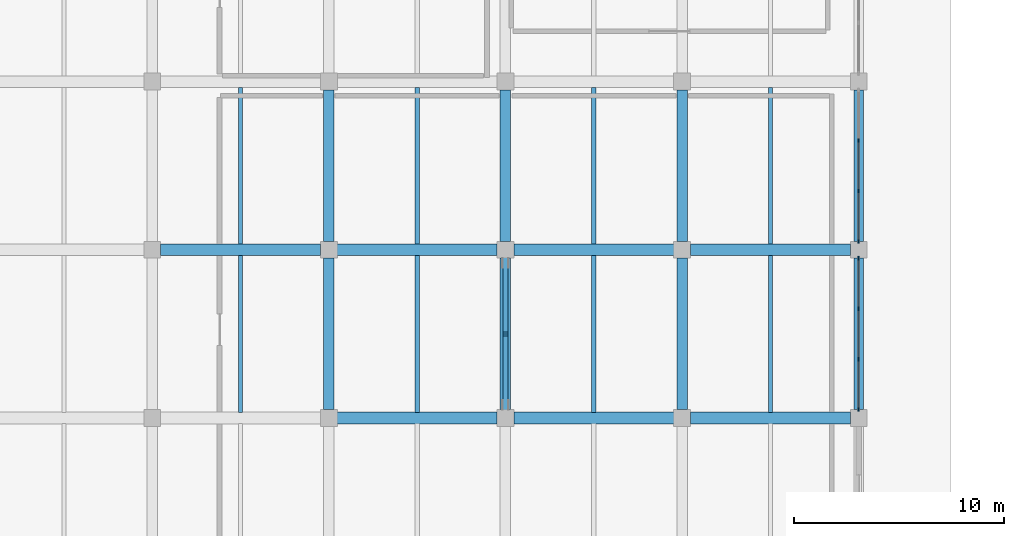
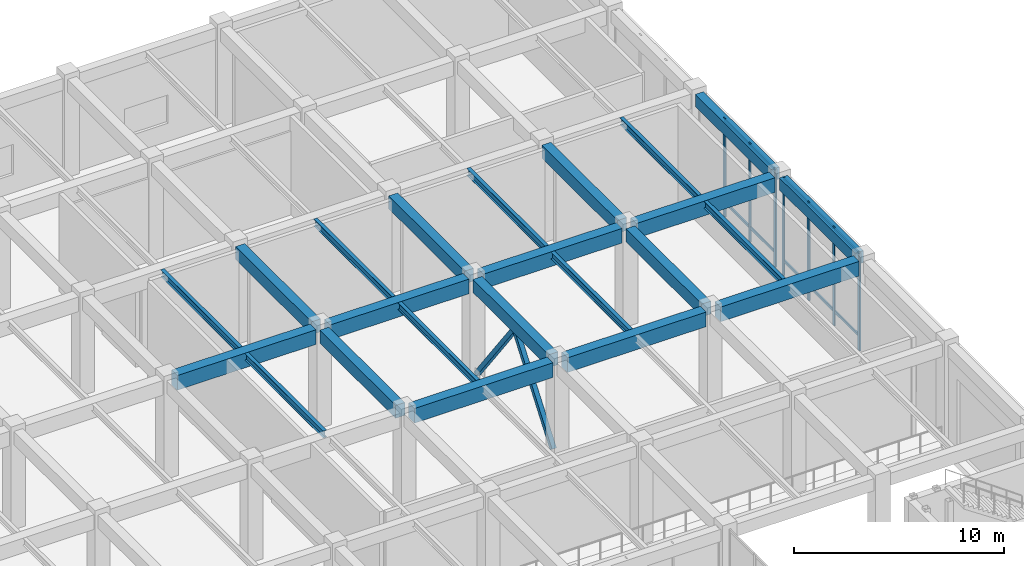
# One storey, part 35 of 76: 23 beams, 19 members, 2 elements without a shape of their own.
"""IFC4 building model written with IfcOpenShell, lengths in metres."""

from ifc_helpers import new_model, si_unit, direction, frame, origin, origin_2d, place, context, subcontext, project, spatial, rectangle, hollow_rectangle, i_section, extrude, material, layer, layer_set, material_profile, profile_set, type_object, element, aggregate, save


model = new_model("IFC4")

# Units and contexts
model_context = context("Model", 3, precision=1e-05, world=origin(), true_north=direction((0.0, 1.0)))
body_context = subcontext(model_context, "Body", "Model", "MODEL_VIEW")
ifc_project = project(units=[si_unit("LENGTHUNIT", "METRE"), si_unit("AREAUNIT", "SQUARE_METRE"), si_unit("VOLUMEUNIT", "CUBIC_METRE"), si_unit("PLANEANGLEUNIT", "RADIAN"), si_unit("MASSUNIT", "GRAM", prefix="KILO")], contexts=[model_context])

# Site, building, storey
site_placement = place(None, origin())
site = spatial("IfcSite", under=ifc_project, at=site_placement, CompositionType="ELEMENT")
building_placement = place(site_placement, origin())
building = spatial("IfcBuilding", under=site, at=building_placement, Name="Naruveol Harbour Congress Hotel", CompositionType="ELEMENT")
storey_placement = place(building_placement, origin())
storey = spatial("IfcBuildingStorey", under=building, at=storey_placement, Name="L00", CompositionType="ELEMENT", Elevation=0.0)

# Beams
ifc_material_1 = material(Name="Concrete C40/50", Category="concrete")
ifc_material_profile_1 = material_profile(ifc_material_1, rectangle(XDim=0.5, YDim=0.75, at=origin_2d()), Name="RCB-500x750")
ifc_profile_set_1 = profile_set([ifc_material_profile_1], Name="Concrete C40/50")
beam_type_1 = type_object("IfcBeamType", Name="RC FLOOR GIRDER 500X750", PredefinedType="BEAM", material=ifc_profile_set_1)
for number, where, z_axis, x_axis, name in (
    (1, (100.800048828125, 80.39599609375, 5.324951171875), (0.0, 1.0, 0.0), (-1.0, 0.0, 0.0), "Transverse girder L01 CB3"),
    (2, (100.800048828125, 88.39599609375, 5.324951171875), (0.0, 1.0, 0.0), (-1.0, 0.0, 0.0), "Transverse girder L01 CB3"),
    (3, (109.199951171875, 80.39599609375, 5.324951171875), (0.0, 1.0, 0.0), (-1.0, 0.0, 0.0), "Transverse girder L01 CB3"),
    (4, (109.199951171875, 88.39599609375, 5.324951171875), (0.0, 1.0, 0.0), (-1.0, 0.0, 0.0), "Transverse girder L01 CB3"),
    (5, (117.60009765625, 80.39599609375, 5.324951171875), (0.0, 1.0, 0.0), (-1.0, 0.0, 0.0), "Transverse girder L01 CB3"),
    (6, (117.60009765625, 88.39599609375, 5.324951171875), (0.0, 1.0, 0.0), (-1.0, 0.0, 0.0), "Transverse girder L01 CB3"),
):
    element("IfcBeam", number, at=place(storey_placement, frame(where, z_axis=z_axis, x_axis=x_axis)), inside=storey, type_object=beam_type_1, Name=name, PredefinedType="BEAM", context=body_context, shape_type="SweptSolid", body=[
        extrude(rectangle(XDim=0.5, YDim=0.75, at=origin_2d()), origin(), (0.0, 0.0, 1.0), 7.2080078125),
    ])
ifc_material_2 = material(Name="Concrete C40/50", Category="concrete")
ifc_material_profile_2 = material_profile(ifc_material_2, rectangle(XDim=0.550048828125, YDim=0.85009765625, at=origin_2d()), Name="RCB-550x850")
ifc_profile_set_2 = profile_set([ifc_material_profile_2], Name="Concrete C40/50")
beam_type_2 = type_object("IfcBeamType", Name="RC PRIMARY GIRDER 550X850", PredefinedType="BEAM", material=ifc_profile_set_2)
beam_1_placement = place(storey_placement, frame((101.196044921875, 80.0, 5.27490234375), z_axis=(1.0, 0.0, 0.0), x_axis=(0.0, 1.0, 0.0)))
element("IfcBeam", 7, at=beam_1_placement, inside=storey, type_object=beam_type_2, Name="Floor girder L01 CB2", PredefinedType="BEAM", context=body_context, shape_type="SweptSolid", body=[
    extrude(rectangle(XDim=0.550048828125, YDim=0.85009765625, at=origin_2d()), origin(), (0.0, 0.0, 1.0), 7.60791015625),
])
beam_2_placement = place(storey_placement, frame((109.595947265625, 80.0, 5.27490234375), z_axis=(1.0, 0.0, 0.0), x_axis=(0.0, 1.0, 0.0)))
element("IfcBeam", 8, at=beam_2_placement, inside=storey, type_object=beam_type_2, Name="Floor girder L01 CB2", PredefinedType="BEAM", context=body_context, shape_type="SweptSolid", body=[
    extrude(rectangle(XDim=0.550048828125, YDim=0.85009765625, at=origin_2d()), origin(), (0.0, 0.0, 1.0), 7.608154296875),
])
beam_3_placement = place(storey_placement, frame((117.99609375, 80.0, 5.27490234375), z_axis=(1.0, 0.0, 0.0), x_axis=(0.0, 1.0, 0.0)))
element("IfcBeam", 9, at=beam_3_placement, inside=storey, type_object=beam_type_2, Name="Floor girder L01 CB2", PredefinedType="BEAM", context=body_context, shape_type="SweptSolid", body=[
    extrude(rectangle(XDim=0.550048828125, YDim=0.85009765625, at=origin_2d()), origin(), (0.0, 0.0, 1.0), 7.60791015625),
])
beam_4_placement = place(storey_placement, frame((92.7958984375, 88.0, 5.27490234375), z_axis=(1.0, 0.0, 0.0), x_axis=(0.0, 1.0, 0.0)))
element("IfcBeam", 10, at=beam_4_placement, inside=storey, type_object=beam_type_2, Name="Floor girder L01 CB2", PredefinedType="BEAM", context=body_context, shape_type="SweptSolid", body=[
    extrude(rectangle(XDim=0.550048828125, YDim=0.85009765625, at=origin_2d()), origin(), (0.0, 0.0, 1.0), 7.608154296875),
])
beam_5_placement = place(storey_placement, frame((101.196044921875, 88.0, 5.27490234375), z_axis=(1.0, 0.0, 0.0), x_axis=(0.0, 1.0, 0.0)))
element("IfcBeam", 11, at=beam_5_placement, inside=storey, type_object=beam_type_2, Name="Floor girder L01 CB2", PredefinedType="BEAM", context=body_context, shape_type="SweptSolid", body=[
    extrude(rectangle(XDim=0.550048828125, YDim=0.85009765625, at=origin_2d()), origin(), (0.0, 0.0, 1.0), 7.60791015625),
])
beam_6_placement = place(storey_placement, frame((109.595947265625, 88.0, 5.27490234375), z_axis=(1.0, 0.0, 0.0), x_axis=(0.0, 1.0, 0.0)))
element("IfcBeam", 12, at=beam_6_placement, inside=storey, type_object=beam_type_2, Name="Floor girder L01 CB2", PredefinedType="BEAM", context=body_context, shape_type="SweptSolid", body=[
    extrude(rectangle(XDim=0.550048828125, YDim=0.85009765625, at=origin_2d()), origin(), (0.0, 0.0, 1.0), 7.608154296875),
])
beam_7_placement = place(storey_placement, frame((117.99609375, 88.0, 5.27490234375), z_axis=(1.0, 0.0, 0.0), x_axis=(0.0, 1.0, 0.0)))
element("IfcBeam", 13, at=beam_7_placement, inside=storey, type_object=beam_type_2, Name="Floor girder L01 CB2", PredefinedType="BEAM", context=body_context, shape_type="SweptSolid", body=[
    extrude(rectangle(XDim=0.550048828125, YDim=0.85009765625, at=origin_2d()), origin(), (0.0, 0.0, 1.0), 7.60791015625),
])
ifc_material_3 = material(Name="Concrete C40/50", Category="concrete")
ifc_material_profile_3 = material_profile(ifc_material_3, rectangle(XDim=0.449951171875, YDim=0.699951171875, at=origin_2d()), Name="RCB-450x700")
ifc_profile_set_3 = profile_set([ifc_material_profile_3], Name="Concrete C40/50")
beam_type_3 = type_object("IfcBeamType", Name="RC SPANDREL BEAM 450X700", PredefinedType="SPANDREL", material=ifc_profile_set_3)
for number, where, z_axis, x_axis, name in (
    (14, (126.0, 80.39599609375, 5.35009765625), (0.0, 1.0, 0.0), (-1.0, 0.0, 0.0), "Transverse girder L01 SPB1"),
    (15, (126.0, 88.39599609375, 5.35009765625), (0.0, 1.0, 0.0), (-1.0, 0.0, 0.0), "Transverse girder L01 SPB1"),
):
    element("IfcBeam", number, at=place(storey_placement, frame(where, z_axis=z_axis, x_axis=x_axis)), inside=storey, type_object=beam_type_3, Name=name, PredefinedType="SPANDREL", context=body_context, shape_type="SweptSolid", body=[
        extrude(rectangle(XDim=0.449951171875, YDim=0.699951171875, at=origin_2d()), origin(), (0.0, 0.0, 1.0), 7.2080078125),
    ])

# Members
ifc_material_4 = material(Name="Steel SN490", Category="steel")
ifc_material_profile_4 = material_profile(ifc_material_4, hollow_rectangle(XDim=0.25, YDim=0.25, WallThickness=0.011962890625, at=origin_2d()), Name="SHS-250x250x12")
ifc_profile_set_4 = profile_set([ifc_material_profile_4], Name="Steel SN490")
member_type_1 = type_object("IfcMemberType", Name="STEEL LATERAL FRAME BRACE SHS250", PredefinedType="BRACE", material=ifc_profile_set_4)
for number, where, z_axis, x_axis, name in (
    (16, (109.199951171875, 80.389892578125, 0.159912109375), (0.0, 0.601873941138, 0.798591108753), (-1.0, 0.0, 0.0), "Lateral chevron brace L00 #9A"),
    (17, (109.199951171875, 87.610107421875, 0.159912109375), (0.0, -0.601873941138, 0.798591108753), (1.0, 0.0, 0.0), "Lateral chevron brace L00 #9B"),
):
    element("IfcMember", number, at=place(storey_placement, frame(where, z_axis=z_axis, x_axis=x_axis)), inside=storey, type_object=member_type_1, Name=name, PredefinedType="BRACE", context=body_context, shape_type="SweptSolid", body=[
        extrude(hollow_rectangle(XDim=0.25, YDim=0.25, WallThickness=0.011962890625, at=origin_2d()), origin(), (0.0, 0.0, 1.0), 5.998046875),
    ])

# Beams
ifc_material_5 = material(Name="Steel SN490", Category="steel")
ifc_material_profile_5 = material_profile(ifc_material_5, i_section(OverallWidth=0.199951171875, OverallDepth=0.39990234375, WebThickness=0.008056640625, FlangeThickness=0.012939453125, at=origin_2d()), Name="H-400x200x8x13")
ifc_profile_set_5 = profile_set([ifc_material_profile_5], Name="Steel SN490")
beam_type_4 = type_object("IfcBeamType", Name="STEEL SECONDARY JOIST H400", PredefinedType="JOIST", material=ifc_profile_set_5)
for number, where, z_axis, x_axis, name in (
    (18, (96.60009765625, 80.27099609375, 5.5), (0.0, 1.0, 0.0), (-1.0, 0.0, 0.0), "Secondary floor joist L01 SJ1"),
    (19, (105.0, 80.27099609375, 5.5), (0.0, 1.0, 0.0), (-1.0, 0.0, 0.0), "Secondary floor joist L01 SJ1"),
    (20, (113.39990234375, 80.27099609375, 5.5), (0.0, 1.0, 0.0), (-1.0, 0.0, 0.0), "Secondary floor joist L01 SJ1"),
    (21, (121.800048828125, 80.27099609375, 5.5), (0.0, 1.0, 0.0), (-1.0, 0.0, 0.0), "Secondary floor joist L01 SJ1"),
    (22, (96.60009765625, 88.27099609375, 5.5), (0.0, 1.0, 0.0), (-1.0, 0.0, 0.0), "Secondary floor joist L01 SJ1"),
    (23, (105.0, 88.27099609375, 5.5), (0.0, 1.0, 0.0), (-1.0, 0.0, 0.0), "Secondary floor joist L01 SJ1"),
    (24, (113.39990234375, 88.27099609375, 5.5), (0.0, 1.0, 0.0), (-1.0, 0.0, 0.0), "Secondary floor joist L01 SJ1"),
    (25, (121.800048828125, 88.27099609375, 5.5), (0.0, 1.0, 0.0), (-1.0, 0.0, 0.0), "Secondary floor joist L01 SJ1"),
):
    element("IfcBeam", number, at=place(storey_placement, frame(where, z_axis=z_axis, x_axis=x_axis)), inside=storey, type_object=beam_type_4, Name=name, PredefinedType="JOIST", context=body_context, shape_type="SweptSolid", body=[
        extrude(i_section(OverallWidth=0.199951171875, OverallDepth=0.39990234375, WebThickness=0.008056640625, FlangeThickness=0.012939453125, at=origin_2d()), origin(), (0.0, 0.0, 1.0), 7.4580078125),
    ])

# Curtain wall, members
ifc_material_6 = material(Name="Low-E Curtain Wall System", Category="glass")
ifc_layer = layer(ifc_material_6, 0.179931640625)
ifc_layer_set = layer_set([ifc_layer], Name="Low-E Curtain Wall System")
curtain_wall_type = type_object("IfcCurtainWallType", Name="UNITISED CURTAIN WALL CW-V2E-16 7200X5700", PredefinedType="USERDEFINED", material=ifc_layer_set)
curtain_wall_1_placement = place(storey_placement, origin())
curtain_wall_1 = element("IfcCurtainWall", 26, at=curtain_wall_1_placement, inside=storey, type_object=curtain_wall_type, Name="Unitised curtain wall CW-V2E-16 L00", ObjectType="UNITISED GLAZING", PredefinedType="USERDEFINED")
ifc_material_7 = material(Name="Anodised Aluminium 6063-T6", Category="aluminium")
ifc_material_profile_6 = material_profile(ifc_material_7, rectangle(XDim=0.074951171875, YDim=0.179931640625, at=origin_2d()), Name="ALU-75x180")
ifc_profile_set_6 = profile_set([ifc_material_profile_6], Name="Anodised Aluminium 6063-T6")
member_type_2 = type_object("IfcMemberType", Name="THERMAL ALUMINIUM MULLION 75X180", PredefinedType="MULLION", material=ifc_profile_set_6)
member_1_placement = place(storey_placement, frame((126.0, 87.60009765625, 0.0), z_axis=(0.0, 0.0, 1.0), x_axis=(1.0, 0.0, 0.0)))
member_1 = element("IfcMember", 27, at=member_1_placement, type_object=member_type_2, Name="Curtain wall mullion CW-L00-0033-M0", PredefinedType="MULLION", context=body_context, shape_type="SweptSolid", body=[
    extrude(rectangle(XDim=0.074951171875, YDim=0.179931640625, at=origin_2d()), origin(), (0.0, 0.0, 1.0), 5.699951171875),
])
member_2_placement = place(storey_placement, frame((126.0, 85.199951171875, 0.0), z_axis=(0.0, 0.0, 1.0), x_axis=(1.0, 0.0, 0.0)))
member_2 = element("IfcMember", 28, at=member_2_placement, type_object=member_type_2, Name="Curtain wall mullion CW-L00-0033-M1", PredefinedType="MULLION", context=body_context, shape_type="SweptSolid", body=[
    extrude(rectangle(XDim=0.074951171875, YDim=0.179931640625, at=origin_2d()), origin(), (0.0, 0.0, 1.0), 5.699951171875),
])
member_3_placement = place(storey_placement, frame((126.0, 82.800048828125, 0.0), z_axis=(0.0, 0.0, 1.0), x_axis=(1.0, 0.0, 0.0)))
member_3 = element("IfcMember", 29, at=member_3_placement, type_object=member_type_2, Name="Curtain wall mullion CW-L00-0033-M2", PredefinedType="MULLION", context=body_context, shape_type="SweptSolid", body=[
    extrude(rectangle(XDim=0.074951171875, YDim=0.179931640625, at=origin_2d()), origin(), (0.0, 0.0, 1.0), 5.699951171875),
])
member_4_placement = place(storey_placement, frame((126.0, 80.39990234375, 0.0), z_axis=(0.0, 0.0, 1.0), x_axis=(1.0, 0.0, 0.0)))
member_4 = element("IfcMember", 30, at=member_4_placement, type_object=member_type_2, Name="Curtain wall mullion CW-L00-0033-M3", PredefinedType="MULLION", context=body_context, shape_type="SweptSolid", body=[
    extrude(rectangle(XDim=0.074951171875, YDim=0.179931640625, at=origin_2d()), origin(), (0.0, 0.0, 1.0), 5.699951171875),
])

curtain_wall_2_placement = place(storey_placement, origin())
curtain_wall_2 = element("IfcCurtainWall", 31, at=curtain_wall_2_placement, inside=storey, type_object=curtain_wall_type, Name="Unitised curtain wall CW-V2E-16 L00", ObjectType="UNITISED GLAZING", PredefinedType="USERDEFINED")
member_5_placement = place(storey_placement, frame((126.0, 93.199951171875, 0.0), z_axis=(0.0, 0.0, 1.0), x_axis=(1.0, 0.0, 0.0)))
member_5 = element("IfcMember", 32, at=member_5_placement, type_object=member_type_2, Name="Curtain wall mullion CW-L00-0034-M1", PredefinedType="MULLION", context=body_context, shape_type="SweptSolid", body=[
    extrude(rectangle(XDim=0.074951171875, YDim=0.179931640625, at=origin_2d()), origin(), (0.0, 0.0, 1.0), 5.699951171875),
])
member_6_placement = place(storey_placement, frame((126.0, 90.800048828125, 0.0), z_axis=(0.0, 0.0, 1.0), x_axis=(1.0, 0.0, 0.0)))
member_6 = element("IfcMember", 33, at=member_6_placement, type_object=member_type_2, Name="Curtain wall mullion CW-L00-0034-M2", PredefinedType="MULLION", context=body_context, shape_type="SweptSolid", body=[
    extrude(rectangle(XDim=0.074951171875, YDim=0.179931640625, at=origin_2d()), origin(), (0.0, 0.0, 1.0), 5.699951171875),
])
member_7_placement = place(storey_placement, frame((126.0, 88.39990234375, 0.0), z_axis=(0.0, 0.0, 1.0), x_axis=(1.0, 0.0, 0.0)))
member_7 = element("IfcMember", 34, at=member_7_placement, type_object=member_type_2, Name="Curtain wall mullion CW-L00-0034-M3", PredefinedType="MULLION", context=body_context, shape_type="SweptSolid", body=[
    extrude(rectangle(XDim=0.074951171875, YDim=0.179931640625, at=origin_2d()), origin(), (0.0, 0.0, 1.0), 5.699951171875),
])

# Member
ifc_material_8 = material(Name="Anodised Aluminium 6063-T6", Category="aluminium")
ifc_material_profile_7 = material_profile(ifc_material_8, rectangle(XDim=0.074951171875, YDim=0.14990234375, at=origin_2d()), Name="ALU-75x150")
ifc_profile_set_7 = profile_set([ifc_material_profile_7], Name="Anodised Aluminium 6063-T6")
member_type_3 = type_object("IfcMemberType", Name="THERMAL ALUMINIUM TRANSOM 75X150", PredefinedType="USERDEFINED", material=ifc_profile_set_7)
member_8_placement = place(storey_placement, frame((126.0, 87.56005859375, 0.85009765625), z_axis=(0.0, -1.0, 0.0), x_axis=(1.0, 0.0, 0.0)))
member_8 = element("IfcMember", 35, at=member_8_placement, type_object=member_type_3, Name="Curtain wall transom CW-L00-0033-T0.1", ObjectType="TRANSOM", PredefinedType="USERDEFINED", context=body_context, shape_type="SweptSolid", body=[
    extrude(rectangle(XDim=0.074951171875, YDim=0.14990234375, at=origin_2d()), origin(), (0.0, 0.0, 1.0), 2.320068359375),
])

member_9_placement = place(storey_placement, frame((126.0, 87.56005859375, 5.6201171875), z_axis=(0.0, -1.0, 0.0), x_axis=(1.0, 0.0, 0.0)))
member_9 = element("IfcMember", 36, at=member_9_placement, type_object=member_type_3, Name="Curtain wall transom CW-L00-0033-T0.2", ObjectType="TRANSOM", PredefinedType="USERDEFINED", context=body_context, shape_type="SweptSolid", body=[
    extrude(rectangle(XDim=0.074951171875, YDim=0.14990234375, at=origin_2d()), origin(), (0.0, 0.0, 1.0), 2.320068359375),
])

member_10_placement = place(storey_placement, frame((126.0, 85.159912109375, 0.85009765625), z_axis=(0.0, -1.0, 0.0), x_axis=(1.0, 0.0, 0.0)))
member_10 = element("IfcMember", 37, at=member_10_placement, type_object=member_type_3, Name="Curtain wall transom CW-L00-0033-T1.1", ObjectType="TRANSOM", PredefinedType="USERDEFINED", context=body_context, shape_type="SweptSolid", body=[
    extrude(rectangle(XDim=0.074951171875, YDim=0.14990234375, at=origin_2d()), origin(), (0.0, 0.0, 1.0), 2.31982421875),
])

member_11_placement = place(storey_placement, frame((126.0, 85.159912109375, 5.6201171875), z_axis=(0.0, -1.0, 0.0), x_axis=(1.0, 0.0, 0.0)))
member_11 = element("IfcMember", 38, at=member_11_placement, type_object=member_type_3, Name="Curtain wall transom CW-L00-0033-T1.2", ObjectType="TRANSOM", PredefinedType="USERDEFINED", context=body_context, shape_type="SweptSolid", body=[
    extrude(rectangle(XDim=0.074951171875, YDim=0.14990234375, at=origin_2d()), origin(), (0.0, 0.0, 1.0), 2.31982421875),
])

member_12_placement = place(storey_placement, frame((126.0, 82.760009765625, 0.85009765625), z_axis=(0.0, -1.0, 0.0), x_axis=(1.0, 0.0, 0.0)))
member_12 = element("IfcMember", 39, at=member_12_placement, type_object=member_type_3, Name="Curtain wall transom CW-L00-0033-T2.1", ObjectType="TRANSOM", PredefinedType="USERDEFINED", context=body_context, shape_type="SweptSolid", body=[
    extrude(rectangle(XDim=0.074951171875, YDim=0.14990234375, at=origin_2d()), origin(), (0.0, 0.0, 1.0), 2.320068359375),
])

member_13_placement = place(storey_placement, frame((126.0, 82.760009765625, 5.6201171875), z_axis=(0.0, -1.0, 0.0), x_axis=(1.0, 0.0, 0.0)))
member_13 = element("IfcMember", 40, at=member_13_placement, type_object=member_type_3, Name="Curtain wall transom CW-L00-0033-T2.2", ObjectType="TRANSOM", PredefinedType="USERDEFINED", context=body_context, shape_type="SweptSolid", body=[
    extrude(rectangle(XDim=0.074951171875, YDim=0.14990234375, at=origin_2d()), origin(), (0.0, 0.0, 1.0), 2.320068359375),
])

aggregate(curtain_wall_1, [member_1, member_2, member_3, member_4, member_8, member_9, member_10, member_11, member_12, member_13])

member_14_placement = place(storey_placement, frame((126.0, 93.159912109375, 0.85009765625), z_axis=(0.0, -1.0, 0.0), x_axis=(1.0, 0.0, 0.0)))
member_14 = element("IfcMember", 41, at=member_14_placement, type_object=member_type_3, Name="Curtain wall transom CW-L00-0034-T1.1", ObjectType="TRANSOM", PredefinedType="USERDEFINED", context=body_context, shape_type="SweptSolid", body=[
    extrude(rectangle(XDim=0.074951171875, YDim=0.14990234375, at=origin_2d()), origin(), (0.0, 0.0, 1.0), 2.31982421875),
])

member_15_placement = place(storey_placement, frame((126.0, 93.159912109375, 5.6201171875), z_axis=(0.0, -1.0, 0.0), x_axis=(1.0, 0.0, 0.0)))
member_15 = element("IfcMember", 42, at=member_15_placement, type_object=member_type_3, Name="Curtain wall transom CW-L00-0034-T1.2", ObjectType="TRANSOM", PredefinedType="USERDEFINED", context=body_context, shape_type="SweptSolid", body=[
    extrude(rectangle(XDim=0.074951171875, YDim=0.14990234375, at=origin_2d()), origin(), (0.0, 0.0, 1.0), 2.31982421875),
])

member_16_placement = place(storey_placement, frame((126.0, 90.760009765625, 0.85009765625), z_axis=(0.0, -1.0, 0.0), x_axis=(1.0, 0.0, 0.0)))
member_16 = element("IfcMember", 43, at=member_16_placement, type_object=member_type_3, Name="Curtain wall transom CW-L00-0034-T2.1", ObjectType="TRANSOM", PredefinedType="USERDEFINED", context=body_context, shape_type="SweptSolid", body=[
    extrude(rectangle(XDim=0.074951171875, YDim=0.14990234375, at=origin_2d()), origin(), (0.0, 0.0, 1.0), 2.320068359375),
])

member_17_placement = place(storey_placement, frame((126.0, 90.760009765625, 5.6201171875), z_axis=(0.0, -1.0, 0.0), x_axis=(1.0, 0.0, 0.0)))
member_17 = element("IfcMember", 44, at=member_17_placement, type_object=member_type_3, Name="Curtain wall transom CW-L00-0034-T2.2", ObjectType="TRANSOM", PredefinedType="USERDEFINED", context=body_context, shape_type="SweptSolid", body=[
    extrude(rectangle(XDim=0.074951171875, YDim=0.14990234375, at=origin_2d()), origin(), (0.0, 0.0, 1.0), 2.320068359375),
])

aggregate(curtain_wall_2, [member_5, member_6, member_7, member_14, member_15, member_16, member_17])

save(model, "model.ifc")
